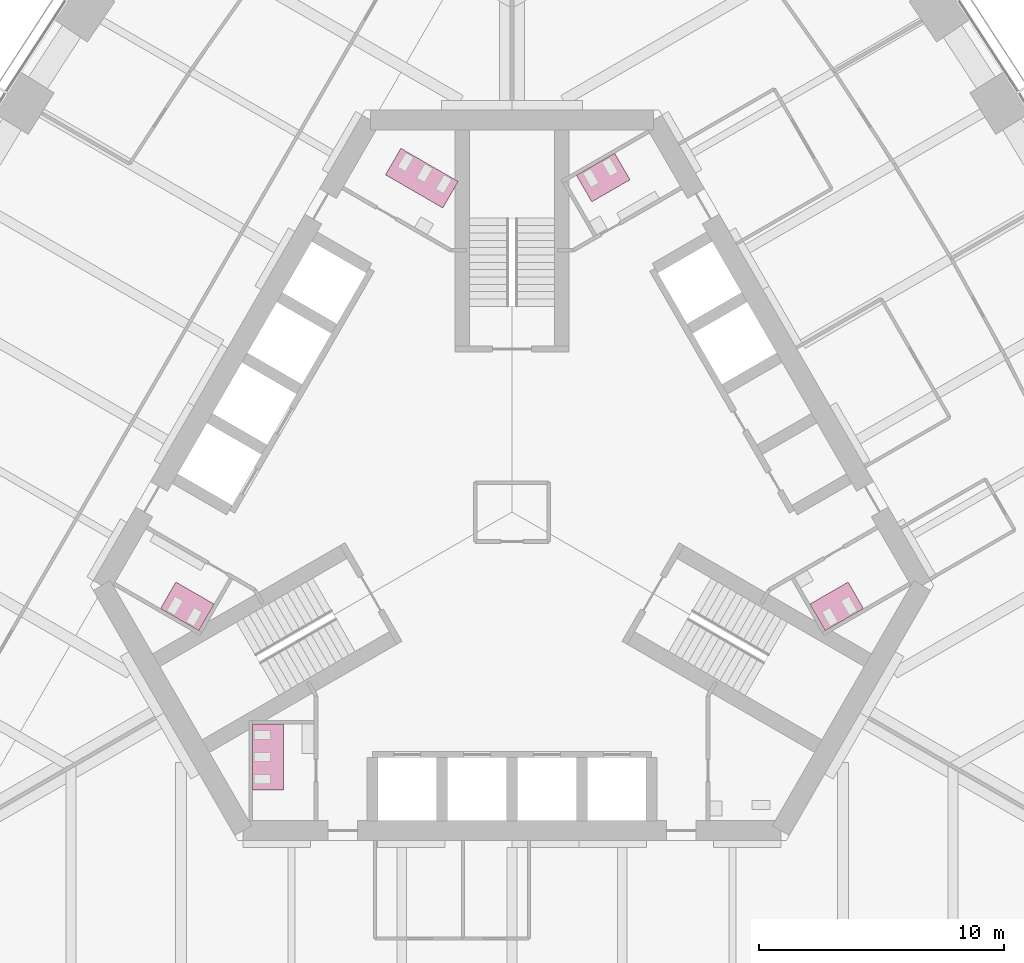
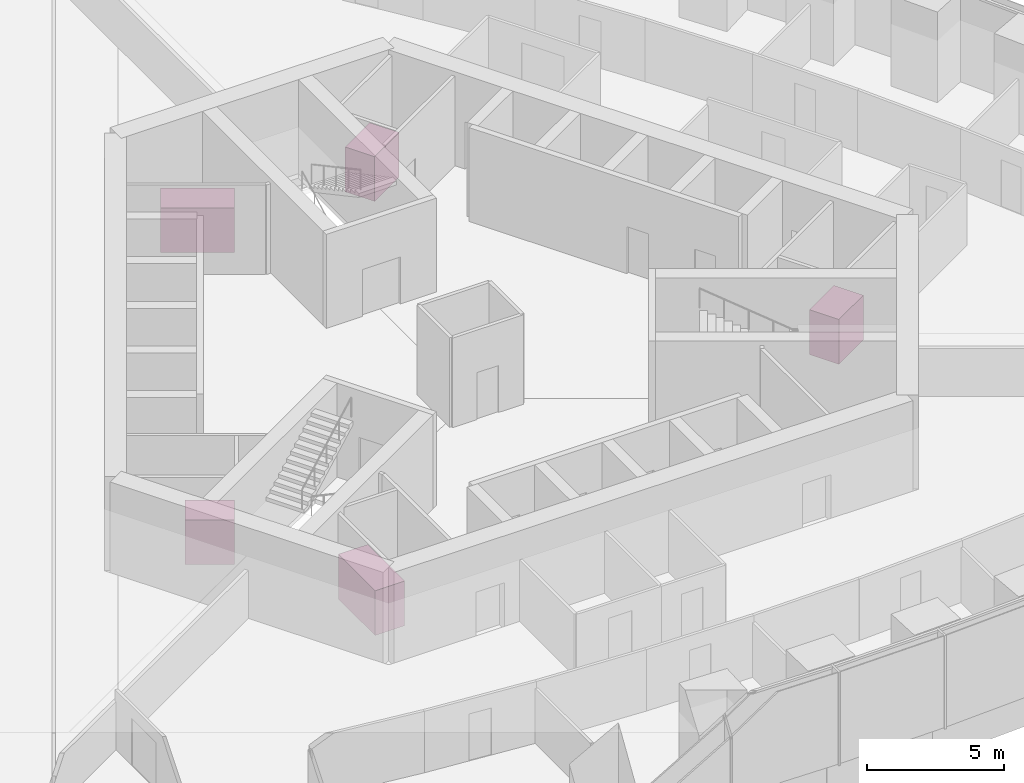
# One storey, part 18 of 18: 5 furniture elements.
"""IFC4 building model written with IfcOpenShell, lengths in metres."""

from ifc_helpers import new_model, si_unit, direction, frame, origin, place, context, subcontext, project, spatial, polyline, outline, extrude, material, type_object, element, save


model = new_model("IFC4")

# Units and contexts
model_context = context("Model", 3, precision=1e-05, world=origin(), true_north=direction((0.0, 1.0)))
body_context = subcontext(model_context, "Body", "Model", "MODEL_VIEW")
ifc_project = project(units=[si_unit("LENGTHUNIT", "METRE"), si_unit("AREAUNIT", "SQUARE_METRE"), si_unit("VOLUMEUNIT", "CUBIC_METRE"), si_unit("PLANEANGLEUNIT", "RADIAN"), si_unit("MASSUNIT", "GRAM", prefix="KILO")], contexts=[model_context])

# Site, building, storey
site_placement = place(None, origin())
site = spatial("IfcSite", under=ifc_project, at=site_placement, CompositionType="ELEMENT")
building_placement = place(site_placement, origin())
building = spatial("IfcBuilding", under=site, at=building_placement, Name="Trefoil Bronze Tower", CompositionType="ELEMENT")
storey_placement = place(building_placement, frame((0.0, 0.0, 170.300048828125)))
storey = spatial("IfcBuildingStorey", under=building, at=storey_placement, Name="L39", CompositionType="ELEMENT", Elevation=170.300048828125)

# Furniture
ifc_material_1 = material(Name="Compact laminate cubicles", Category="plastic")
furniture_type_1 = type_object("IfcFurnitureType", Name="WC cubicle range 2 cubicles", AssemblyPlace="FACTORY", PredefinedType="USERDEFINED", material=ifc_material_1)
furniture_1_placement = place(storey_placement, origin())
element("IfcFurniture", 1, at=furniture_1_placement, inside=storey, type_object=furniture_type_1, Name="WC cubicle range WC (women) L39", ObjectType="WC cubicle range", PredefinedType="USERDEFINED", context=body_context, shape_type="SweptSolid", body=[
    extrude(outline(polyline([(12.15869140625, -3.75927734375), (12.78369140625, -4.841796875), (14.342529296875, -3.94189453125), (13.717529296875, -2.859375), (12.15869140625, -3.75927734375)])), origin(), (0.0, 0.0, 1.0), 2.0),
])
furniture_2_placement = place(storey_placement, origin())
element("IfcFurniture", 2, at=furniture_2_placement, inside=storey, type_object=furniture_type_1, Name="WC cubicle range WC (men) L39", ObjectType="WC cubicle range", PredefinedType="USERDEFINED", context=body_context, shape_type="SweptSolid", body=[
    extrude(outline(polyline([(3.256591796875, 12.659423828125), (2.631591796875, 13.741943359375), (4.1904296875, 14.641845703125), (4.8154296875, 13.559326171875), (3.256591796875, 12.659423828125)])), origin(), (0.0, 0.0, 1.0), 2.0),
])
furniture_3_placement = place(storey_placement, origin())
element("IfcFurniture", 3, at=furniture_3_placement, inside=storey, type_object=furniture_type_1, Name="WC cubicle range WC (men) L39", ObjectType="WC cubicle range", PredefinedType="USERDEFINED", context=body_context, shape_type="SweptSolid", body=[
    extrude(outline(polyline([(-12.15869140625, -3.75927734375), (-12.78369140625, -4.841796875), (-14.342529296875, -3.94189453125), (-13.717529296875, -2.859375), (-12.15869140625, -3.75927734375)])), origin(), (0.0, 0.0, 1.0), 2.0),
])
ifc_material_2 = material(Name="Compact laminate cubicles", Category="plastic")
furniture_type_2 = type_object("IfcFurnitureType", Name="WC cubicle range 3 cubicles", AssemblyPlace="FACTORY", PredefinedType="USERDEFINED", material=ifc_material_2)
furniture_4_placement = place(storey_placement, origin())
element("IfcFurniture", 4, at=furniture_4_placement, inside=storey, type_object=furniture_type_2, Name="WC cubicle range WC (women) L39", ObjectType="WC cubicle range", PredefinedType="USERDEFINED", context=body_context, shape_type="SweptSolid", body=[
    extrude(outline(polyline([(-2.82373046875, 12.409423828125), (-2.19873046875, 13.491943359375), (-4.536865234375, 14.841796875), (-5.161865234375, 13.75927734375), (-2.82373046875, 12.409423828125)])), origin(), (0.0, 0.0, 1.0), 2.0),
])
furniture_5_placement = place(storey_placement, origin())
element("IfcFurniture", 5, at=furniture_5_placement, inside=storey, type_object=furniture_type_2, Name="WC cubicle range WC (women) L39", ObjectType="WC cubicle range", PredefinedType="USERDEFINED", context=body_context, shape_type="SweptSolid", body=[
    extrude(outline(polyline([(-9.3349609375, -8.64990234375), (-10.5849609375, -8.64990234375), (-10.5849609375, -11.35009765625), (-9.3349609375, -11.35009765625), (-9.3349609375, -8.64990234375)])), origin(), (0.0, 0.0, 1.0), 2.0),
])

save(model, "model.ifc")
